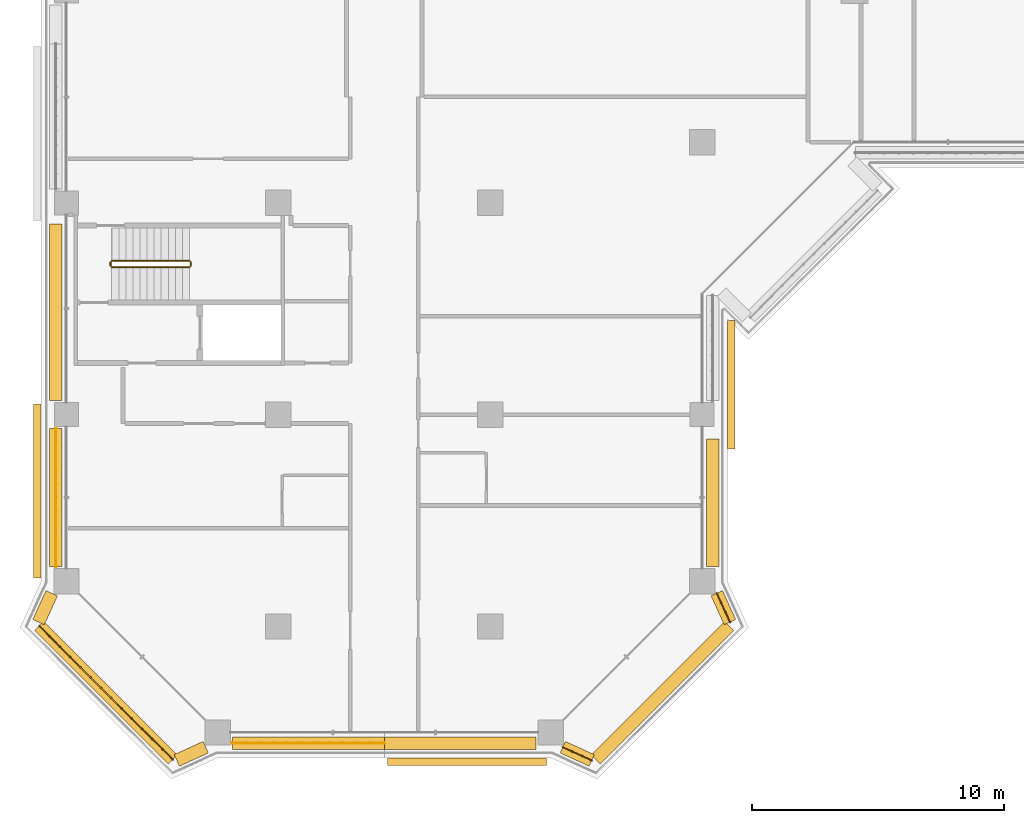
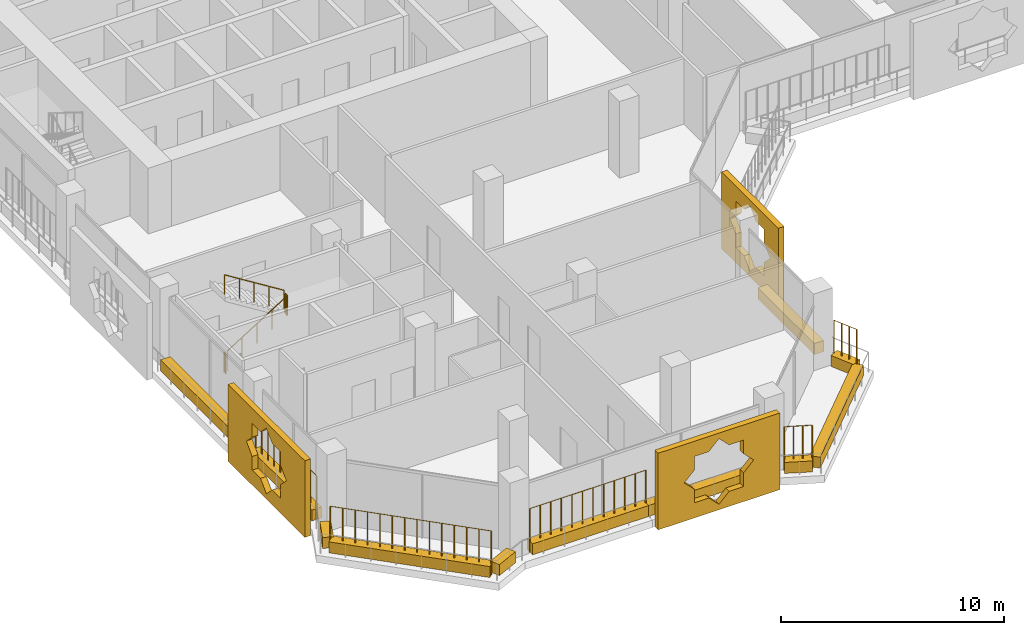
# One storey, part 16 of 22: 14 coverings, 9 railings.
"""IFC4 building model written with IfcOpenShell, lengths in metres."""

from ifc_helpers import new_model, si_unit, direction, frame, origin, origin_2d, place, context, subcontext, project, spatial, polyline, rectangle, circle, outline, extrude, material, material_profile, profile_set, type_object, element, save


model = new_model("IFC4")

# Units and contexts
model_context = context("Model", 3, precision=1e-05, world=origin(), true_north=direction((0.0, 1.0)))
body_context = subcontext(model_context, "Body", "Model", "MODEL_VIEW")
ifc_project = project(units=[si_unit("LENGTHUNIT", "METRE"), si_unit("AREAUNIT", "SQUARE_METRE"), si_unit("VOLUMEUNIT", "CUBIC_METRE"), si_unit("PLANEANGLEUNIT", "RADIAN"), si_unit("MASSUNIT", "GRAM", prefix="KILO")], contexts=[model_context])

# Site, building, storey
site_placement = place(None, origin())
site = spatial("IfcSite", under=ifc_project, at=site_placement, CompositionType="ELEMENT")
building_placement = place(site_placement, origin())
building = spatial("IfcBuilding", under=site, at=building_placement, Name="Kawkab Arch Medical Tower", CompositionType="ELEMENT")
storey_placement = place(building_placement, frame((0.0, 0.0, 196.199951171875)))
storey = spatial("IfcBuildingStorey", under=building, at=storey_placement, Name="L45", CompositionType="ELEMENT", Elevation=196.199951171875)

# Coverings
ifc_material_1 = material(Name="Bronze anodised aluminium mashrabiya panel, eight-point star pattern", Category="aluminium")
ifc_material_profile_1 = material_profile(ifc_material_1, outline(polyline([(-2.550048828125, -2.10009765625), (2.550048828125, -2.10009765625), (2.550048828125, 2.10009765625), (-2.550048828125, 2.10009765625), (-2.550048828125, -2.10009765625)]), holes=[polyline([(1.800048828125, 0.0), (1.272705078125, 0.527099609375), (1.272705078125, 1.272705078125), (0.527099609375, 1.272705078125), (0.0, 1.800048828125), (-0.527099609375, 1.272705078125), (-1.272705078125, 1.272705078125), (-1.272705078125, 0.527099609375), (-1.800048828125, 0.0), (-1.272705078125, -0.527099609375), (-1.272705078125, -1.272705078125), (-0.527099609375, -1.272705078125), (0.0, -1.800048828125), (0.527099609375, -1.272705078125), (1.272705078125, -1.272705078125), (1.272705078125, -0.527099609375), (1.800048828125, 0.0)])]), Name="Mashrabiya panel 5100x4200")
ifc_profile_set_1 = profile_set([ifc_material_profile_1], Name="Bronze anodised aluminium mashrabiya panel, eight-point star pattern")
covering_type_1 = type_object("IfcCoveringType", Name="Mashrabiya panel 5100 x 4200", PredefinedType="USERDEFINED", material=ifc_profile_set_1)
covering_1_placement = place(storey_placement, frame((26.199951171875, -40.807373046875, 1.699951171875), z_axis=(1.0, 0.0, 0.0), x_axis=(0.0, 1.0, 0.0)))
element("IfcCovering", 1, at=covering_1_placement, inside=storey, type_object=covering_type_1, Name="Mashrabiya panel L45.LOG-01-01.12", ObjectType="SCREEN", PredefinedType="USERDEFINED", context=body_context, shape_type="SweptSolid", body=[
    extrude(outline(polyline([(-2.550048828125, -2.10009765625), (2.550048828125, -2.10009765625), (2.550048828125, 2.10009765625), (-2.550048828125, 2.10009765625), (-2.550048828125, -2.10009765625)]), holes=[polyline([(1.800048828125, 0.0), (1.272705078125, 0.527099609375), (1.272705078125, 1.272705078125), (0.527099609375, 1.272705078125), (0.0, 1.800048828125), (-0.527099609375, 1.272705078125), (-1.272705078125, 1.272705078125), (-1.272705078125, 0.527099609375), (-1.800048828125, 0.0), (-1.272705078125, -0.527099609375), (-1.272705078125, -1.272705078125), (-0.527099609375, -1.272705078125), (0.0, -1.800048828125), (0.527099609375, -1.272705078125), (1.272705078125, -1.272705078125), (1.272705078125, -0.527099609375), (1.800048828125, 0.0)])]), origin(), (0.0, 0.0, 1.0), 0.300048828125),
])
ifc_material_2 = material(Name="Bronze anodised aluminium mashrabiya panel, eight-point star pattern", Category="aluminium")
ifc_material_profile_2 = material_profile(ifc_material_2, outline(polyline([(-3.14990234375, -2.10009765625), (3.14990234375, -2.10009765625), (3.14990234375, 2.10009765625), (-3.14990234375, 2.10009765625), (-3.14990234375, -2.10009765625)]), holes=[polyline([(1.800048828125, 0.0), (1.272705078125, 0.527099609375), (1.272705078125, 1.272705078125), (0.527099609375, 1.272705078125), (0.0, 1.800048828125), (-0.527099609375, 1.272705078125), (-1.272705078125, 1.272705078125), (-1.272705078125, 0.527099609375), (-1.800048828125, 0.0), (-1.272705078125, -0.527099609375), (-1.272705078125, -1.272705078125), (-0.527099609375, -1.272705078125), (0.0, -1.800048828125), (0.527099609375, -1.272705078125), (1.272705078125, -1.272705078125), (1.272705078125, -0.527099609375), (1.800048828125, 0.0)])]), Name="Mashrabiya panel 6300x4200")
ifc_profile_set_2 = profile_set([ifc_material_profile_2], Name="Bronze anodised aluminium mashrabiya panel, eight-point star pattern")
covering_type_2 = type_object("IfcCoveringType", Name="Mashrabiya panel 6300 x 4200", PredefinedType="USERDEFINED", material=ifc_profile_set_2)
covering_2_placement = place(storey_placement, frame((15.881103515625, -55.60009765625, 1.699951171875), z_axis=(0.0, -1.0, 0.0), x_axis=(1.0, 0.0, 0.0)))
element("IfcCovering", 2, at=covering_2_placement, inside=storey, type_object=covering_type_2, Name="Mashrabiya panel L45.LOG-01-01.1", ObjectType="SCREEN", PredefinedType="USERDEFINED", context=body_context, shape_type="SweptSolid", body=[
    extrude(outline(polyline([(-3.14990234375, -2.10009765625), (3.14990234375, -2.10009765625), (3.14990234375, 2.10009765625), (-3.14990234375, 2.10009765625), (-3.14990234375, -2.10009765625)]), holes=[polyline([(1.800048828125, 0.0), (1.272705078125, 0.527099609375), (1.272705078125, 1.272705078125), (0.527099609375, 1.272705078125), (0.0, 1.800048828125), (-0.527099609375, 1.272705078125), (-1.272705078125, 1.272705078125), (-1.272705078125, 0.527099609375), (-1.800048828125, 0.0), (-1.272705078125, -0.527099609375), (-1.272705078125, -1.272705078125), (-0.527099609375, -1.272705078125), (0.0, -1.800048828125), (0.527099609375, -1.272705078125), (1.272705078125, -1.272705078125), (1.272705078125, -0.527099609375), (1.800048828125, 0.0)])]), origin(), (0.0, 0.0, 1.0), 0.2998046875),
])
ifc_material_3 = material(Name="Bronze anodised aluminium mashrabiya panel, eight-point star pattern", Category="aluminium")
ifc_material_profile_3 = material_profile(ifc_material_3, outline(polyline([(-3.449951171875, -2.10009765625), (3.449951171875, -2.10009765625), (3.449951171875, 2.10009765625), (-3.449951171875, 2.10009765625), (-3.449951171875, -2.10009765625)]), holes=[polyline([(1.800048828125, 0.0), (1.272705078125, 0.527099609375), (1.272705078125, 1.272705078125), (0.527099609375, 1.272705078125), (0.0, 1.800048828125), (-0.527099609375, 1.272705078125), (-1.272705078125, 1.272705078125), (-1.272705078125, 0.527099609375), (-1.800048828125, 0.0), (-1.272705078125, -0.527099609375), (-1.272705078125, -1.272705078125), (-0.527099609375, -1.272705078125), (0.0, -1.800048828125), (0.527099609375, -1.272705078125), (1.272705078125, -1.272705078125), (1.272705078125, -0.527099609375), (1.800048828125, 0.0)])]), Name="Mashrabiya panel 6900x4200")
ifc_profile_set_3 = profile_set([ifc_material_profile_3], Name="Bronze anodised aluminium mashrabiya panel, eight-point star pattern")
covering_type_3 = type_object("IfcCoveringType", Name="Mashrabiya panel 6900 x 4200", PredefinedType="USERDEFINED", material=ifc_profile_set_3)
covering_3_placement = place(storey_placement, frame((-1.0, -45.03173828125, 1.699951171875), z_axis=(-1.0, 0.0, 0.0), x_axis=(0.0, -1.0, 0.0)))
element("IfcCovering", 3, at=covering_3_placement, inside=storey, type_object=covering_type_3, Name="Mashrabiya panel L45.LOG-01-01.2", ObjectType="SCREEN", PredefinedType="USERDEFINED", context=body_context, shape_type="SweptSolid", body=[
    extrude(outline(polyline([(-3.449951171875, -2.10009765625), (3.449951171875, -2.10009765625), (3.449951171875, 2.10009765625), (-3.449951171875, 2.10009765625), (-3.449951171875, -2.10009765625)]), holes=[polyline([(1.800048828125, 0.0), (1.272705078125, 0.527099609375), (1.272705078125, 1.272705078125), (0.527099609375, 1.272705078125), (0.0, 1.800048828125), (-0.527099609375, 1.272705078125), (-1.272705078125, 1.272705078125), (-1.272705078125, 0.527099609375), (-1.800048828125, 0.0), (-1.272705078125, -0.527099609375), (-1.272705078125, -1.272705078125), (-0.527099609375, -1.272705078125), (0.0, -1.800048828125), (0.527099609375, -1.272705078125), (1.272705078125, -1.272705078125), (1.272705078125, -0.527099609375), (1.800048828125, 0.0)])]), origin(), (0.0, 0.0, 1.0), 0.300048828125),
])
ifc_material_4 = material(Name="Planting soil in a precast trough", Category="concrete")
ifc_material_profile_4 = material_profile(ifc_material_4, rectangle(XDim=0.5, YDim=0.60009765625, at=origin_2d()), Name="Trough 500x600")
ifc_profile_set_4 = profile_set([ifc_material_profile_4], Name="Planting soil in a precast trough")
covering_type_4 = type_object("IfcCoveringType", Name="Planter trough 500 x 600", PredefinedType="USERDEFINED", material=ifc_profile_set_4)
covering_4_placement = place(storey_placement, frame((20.821044921875, -55.701904296875, 0.300048828125), z_axis=(-0.909780461959, 0.415089762627, 0.0), x_axis=(-0.415089762627, -0.909780461959, 0.0)))
element("IfcCovering", 4, at=covering_4_placement, inside=storey, type_object=covering_type_4, Name="Planter L45.LOG-01-01.1", ObjectType="PLANTER", PredefinedType="USERDEFINED", context=body_context, shape_type="SweptSolid", body=[
    extrude(rectangle(XDim=0.5, YDim=0.60009765625, at=origin_2d()), origin(), (0.0, 0.0, 1.0), 1.257568359375),
])
for number, where, z_axis, x_axis, name in (
    (5, (18.6201171875, -55.02001953125, 0.300048828125), (-1.0, 0.0, 0.0), (0.0, -1.0, 0.0), "Planter L45.LOG-01-01.2"),
    (6, (12.60009765625, -55.02001953125, 0.300048828125), (-1.0, 0.0, 0.0), (0.0, -1.0, 0.0), "Planter L45.LOG-01-01.3"),
):
    element("IfcCovering", number, at=place(storey_placement, frame(where, z_axis=z_axis, x_axis=x_axis)), inside=storey, type_object=covering_type_4, Name=name, ObjectType="PLANTER", PredefinedType="USERDEFINED", context=body_context, shape_type="SweptSolid", body=[
        extrude(rectangle(XDim=0.5, YDim=0.60009765625, at=origin_2d()), origin(), (0.0, 0.0, 1.0), 6.02001953125),
    ])
covering_5_placement = place(storey_placement, frame((5.52294921875, -55.179931640625, 0.300048828125), z_axis=(-0.909780461959, -0.415089762627, 0.0), x_axis=(0.415089762627, -0.909780461959, 0.0)))
element("IfcCovering", 7, at=covering_5_placement, inside=storey, type_object=covering_type_4, Name="Planter L45.LOG-01-01.4", ObjectType="PLANTER", PredefinedType="USERDEFINED", context=body_context, shape_type="SweptSolid", body=[
    extrude(rectangle(XDim=0.5, YDim=0.60009765625, at=origin_2d()), origin(), (0.0, 0.0, 1.0), 1.257568359375),
])
covering_6_placement = place(storey_placement, frame((4.217041015625, -55.673095703125, 0.300048828125), z_axis=(-0.707106781187, 0.707106781187, 0.0), x_axis=(-0.707106781187, -0.707106781187, 0.0)))
element("IfcCovering", 8, at=covering_6_placement, inside=storey, type_object=covering_type_4, Name="Planter L45.LOG-01-01.5", ObjectType="PLANTER", PredefinedType="USERDEFINED", context=body_context, shape_type="SweptSolid", body=[
    extrude(rectangle(XDim=0.5, YDim=0.60009765625, at=origin_2d()), origin(), (0.0, 0.0, 1.0), 7.481201171875),
])
covering_7_placement = place(storey_placement, frame((-1.10205078125, -50.220947265625, 0.300048828125), z_axis=(0.415089762627, 0.909780461959, 0.0), x_axis=(-0.909780461959, 0.415089762627, 0.0)))
element("IfcCovering", 9, at=covering_7_placement, inside=storey, type_object=covering_type_4, Name="Planter L45.LOG-01-01.6", ObjectType="PLANTER", PredefinedType="USERDEFINED", context=body_context, shape_type="SweptSolid", body=[
    extrude(rectangle(XDim=0.5, YDim=0.60009765625, at=origin_2d()), origin(), (0.0, 0.0, 1.0), 1.257568359375),
])
covering_8_placement = place(storey_placement, frame((-0.419921875, -48.02001953125, 0.300048828125), z_axis=(0.0, 1.0, 0.0), x_axis=(-1.0, 0.0, 0.0)))
element("IfcCovering", 10, at=covering_8_placement, inside=storey, type_object=covering_type_4, Name="Planter L45.LOG-01-01.7", ObjectType="PLANTER", PredefinedType="USERDEFINED", context=body_context, shape_type="SweptSolid", body=[
    extrude(rectangle(XDim=0.5, YDim=0.60009765625, at=origin_2d()), origin(), (0.0, 0.0, 1.0), 5.465087890625),
])
covering_9_placement = place(storey_placement, frame((-0.419921875, -41.445068359375, 0.300048828125), z_axis=(0.0, 1.0, 0.0), x_axis=(-1.0, 0.0, 0.0)))
element("IfcCovering", 11, at=covering_9_placement, inside=storey, type_object=covering_type_4, Name="Planter L45.LOG-01-01.8", ObjectType="PLANTER", PredefinedType="USERDEFINED", context=body_context, shape_type="SweptSolid", body=[
    extrude(rectangle(XDim=0.5, YDim=0.60009765625, at=origin_2d()), origin(), (0.0, 0.0, 1.0), 7.003173828125),
])
covering_10_placement = place(storey_placement, frame((25.6201171875, -42.955078125, 0.300048828125), z_axis=(0.0, -1.0, 0.0), x_axis=(1.0, 0.0, 0.0)))
element("IfcCovering", 12, at=covering_10_placement, inside=storey, type_object=covering_type_4, Name="Planter L45.LOG-01-01.42", ObjectType="PLANTER", PredefinedType="USERDEFINED", context=body_context, shape_type="SweptSolid", body=[
    extrude(rectangle(XDim=0.5, YDim=0.60009765625, at=origin_2d()), origin(), (0.0, 0.0, 1.0), 5.06494140625),
])
covering_11_placement = place(storey_placement, frame((25.780029296875, -49.076904296875, 0.300048828125), z_axis=(0.415089762627, -0.909780461959, 0.0), x_axis=(0.909780461959, 0.415089762627, 0.0)))
element("IfcCovering", 13, at=covering_11_placement, inside=storey, type_object=covering_type_4, Name="Planter L45.LOG-01-01.43", ObjectType="PLANTER", PredefinedType="USERDEFINED", context=body_context, shape_type="SweptSolid", body=[
    extrude(rectangle(XDim=0.5, YDim=0.60009765625, at=origin_2d()), origin(), (0.0, 0.0, 1.0), 1.257568359375),
])
covering_12_placement = place(storey_placement, frame((26.27294921875, -50.383056640625, 0.300048828125), z_axis=(-0.707106781187, -0.707106781187, 0.0), x_axis=(0.707106781187, -0.707106781187, 0.0)))
element("IfcCovering", 14, at=covering_12_placement, inside=storey, type_object=covering_type_4, Name="Planter L45.LOG-01-01.44", ObjectType="PLANTER", PredefinedType="USERDEFINED", context=body_context, shape_type="SweptSolid", body=[
    extrude(rectangle(XDim=0.5, YDim=0.60009765625, at=origin_2d()), origin(), (0.0, 0.0, 1.0), 7.481201171875),
])

# Railings
ifc_material_5 = material(Name="Bronze anodised aluminium trellis for climbing plants", Category="aluminium")
railing_type_1 = type_object("IfcRailingType", Name="Planting trellis 2400", PredefinedType="USERDEFINED", material=ifc_material_5)
railing_1_placement = place(storey_placement, frame((20.821044921875, -55.701904296875, 0.0)))
element("IfcRailing", 15, at=railing_1_placement, inside=storey, type_object=railing_type_1, Name="Planting trellis L45.LOG-01-01.1", ObjectType="TRELLIS", PredefinedType="USERDEFINED", context=body_context, shape_type="SweptSolid", body=[
    extrude(circle(Radius=0.01513671875, at=origin_2d()), frame((0.0, 0.0, 2.384765625), z_axis=(-0.909780461959, 0.415089762627, 0.0), x_axis=(-0.415089762627, -0.909780461959, 0.0)), (0.0, 0.0, 1.0), 1.257568359375),
    extrude(circle(Radius=0.030029296875, at=origin_2d()), origin(), (0.0, 0.0, 1.0), 2.369873046875),
    extrude(circle(Radius=0.030029296875, at=origin_2d()), frame((-0.38134765625, 0.174072265625, 0.0)), (0.0, 0.0, 1.0), 2.369873046875),
    extrude(circle(Radius=0.030029296875, at=origin_2d()), frame((-0.7626953125, 0.347900390625, 0.0)), (0.0, 0.0, 1.0), 2.369873046875),
    extrude(circle(Radius=0.030029296875, at=origin_2d()), frame((-1.14404296875, 0.52197265625, 0.0)), (0.0, 0.0, 1.0), 2.369873046875),
])
railing_2_placement = place(storey_placement, frame((12.60009765625, -55.02001953125, 0.0)))
element("IfcRailing", 16, at=railing_2_placement, inside=storey, type_object=railing_type_1, Name="Planting trellis L45.LOG-01-01.3", ObjectType="TRELLIS", PredefinedType="USERDEFINED", context=body_context, shape_type="SweptSolid", body=[
    extrude(circle(Radius=0.01513671875, at=origin_2d()), frame((0.0, 0.0, 2.384765625), z_axis=(-1.0, 0.0, 0.0), x_axis=(0.0, -1.0, 0.0)), (0.0, 0.0, 1.0), 6.02001953125),
    extrude(circle(Radius=0.030029296875, at=origin_2d()), origin(), (0.0, 0.0, 1.0), 2.369873046875),
    extrude(circle(Radius=0.030029296875, at=origin_2d()), frame((-0.54736328125, 0.0, 0.0)), (0.0, 0.0, 1.0), 2.369873046875),
    extrude(circle(Radius=0.030029296875, at=origin_2d()), frame((-1.094482421875, 0.0, 0.0)), (0.0, 0.0, 1.0), 2.369873046875),
    extrude(circle(Radius=0.030029296875, at=origin_2d()), frame((-1.641845703125, 0.0, 0.0)), (0.0, 0.0, 1.0), 2.369873046875),
    extrude(circle(Radius=0.030029296875, at=origin_2d()), frame((-2.189208984375, 0.0, 0.0)), (0.0, 0.0, 1.0), 2.369873046875),
    extrude(circle(Radius=0.030029296875, at=origin_2d()), frame((-2.736328125, 0.0, 0.0)), (0.0, 0.0, 1.0), 2.369873046875),
    extrude(circle(Radius=0.030029296875, at=origin_2d()), frame((-3.28369140625, 0.0, 0.0)), (0.0, 0.0, 1.0), 2.369873046875),
    extrude(circle(Radius=0.030029296875, at=origin_2d()), frame((-3.830810546875, 0.0, 0.0)), (0.0, 0.0, 1.0), 2.369873046875),
    extrude(circle(Radius=0.030029296875, at=origin_2d()), frame((-4.378173828125, 0.0, 0.0)), (0.0, 0.0, 1.0), 2.369873046875),
    extrude(circle(Radius=0.030029296875, at=origin_2d()), frame((-4.925537109375, 0.0, 0.0)), (0.0, 0.0, 1.0), 2.369873046875),
    extrude(circle(Radius=0.030029296875, at=origin_2d()), frame((-5.47265625, 0.0, 0.0)), (0.0, 0.0, 1.0), 2.369873046875),
    extrude(circle(Radius=0.030029296875, at=origin_2d()), frame((-6.02001953125, 0.0, 0.0)), (0.0, 0.0, 1.0), 2.369873046875),
])
railing_3_placement = place(storey_placement, frame((4.217041015625, -55.673095703125, 0.0)))
element("IfcRailing", 17, at=railing_3_placement, inside=storey, type_object=railing_type_1, Name="Planting trellis L45.LOG-01-01.5", ObjectType="TRELLIS", PredefinedType="USERDEFINED", context=body_context, shape_type="SweptSolid", body=[
    extrude(circle(Radius=0.01513671875, at=origin_2d()), frame((0.0, 0.0, 2.384765625), z_axis=(-0.707106781187, 0.707106781187, 0.0), x_axis=(-0.707106781187, -0.707106781187, 0.0)), (0.0, 0.0, 1.0), 7.481201171875),
    extrude(circle(Radius=0.030029296875, at=origin_2d()), origin(), (0.0, 0.0, 1.0), 2.369873046875),
    extrude(circle(Radius=0.030029296875, at=origin_2d()), frame((-0.406982421875, 0.406982421875, 0.0)), (0.0, 0.0, 1.0), 2.369873046875),
    extrude(circle(Radius=0.030029296875, at=origin_2d()), frame((-0.81396484375, 0.81396484375, 0.0)), (0.0, 0.0, 1.0), 2.369873046875),
    extrude(circle(Radius=0.030029296875, at=origin_2d()), frame((-1.220703125, 1.220703125, 0.0)), (0.0, 0.0, 1.0), 2.369873046875),
    extrude(circle(Radius=0.030029296875, at=origin_2d()), frame((-1.627685546875, 1.627685546875, 0.0)), (0.0, 0.0, 1.0), 2.369873046875),
    extrude(circle(Radius=0.030029296875, at=origin_2d()), frame((-2.03466796875, 2.03466796875, 0.0)), (0.0, 0.0, 1.0), 2.369873046875),
    extrude(circle(Radius=0.030029296875, at=origin_2d()), frame((-2.441650390625, 2.441650390625, 0.0)), (0.0, 0.0, 1.0), 2.369873046875),
    extrude(circle(Radius=0.030029296875, at=origin_2d()), frame((-2.848388671875, 2.848388671875, 0.0)), (0.0, 0.0, 1.0), 2.369873046875),
    extrude(circle(Radius=0.030029296875, at=origin_2d()), frame((-3.25537109375, 3.25537109375, 0.0)), (0.0, 0.0, 1.0), 2.369873046875),
    extrude(circle(Radius=0.030029296875, at=origin_2d()), frame((-3.662353515625, 3.662353515625, 0.0)), (0.0, 0.0, 1.0), 2.369873046875),
    extrude(circle(Radius=0.030029296875, at=origin_2d()), frame((-4.0693359375, 4.0693359375, 0.0)), (0.0, 0.0, 1.0), 2.369873046875),
    extrude(circle(Radius=0.030029296875, at=origin_2d()), frame((-4.47607421875, 4.47607421875, 0.0)), (0.0, 0.0, 1.0), 2.369873046875),
    extrude(circle(Radius=0.030029296875, at=origin_2d()), frame((-4.883056640625, 4.883056640625, 0.0)), (0.0, 0.0, 1.0), 2.369873046875),
    extrude(circle(Radius=0.030029296875, at=origin_2d()), frame((-5.2900390625, 5.2900390625, 0.0)), (0.0, 0.0, 1.0), 2.369873046875),
])
railing_4_placement = place(storey_placement, frame((-0.419921875, -48.02001953125, 0.0)))
element("IfcRailing", 18, at=railing_4_placement, inside=storey, type_object=railing_type_1, Name="Planting trellis L45.LOG-01-01.7", ObjectType="TRELLIS", PredefinedType="USERDEFINED", context=body_context, shape_type="SweptSolid", body=[
    extrude(circle(Radius=0.01513671875, at=origin_2d()), frame((0.0, 0.0, 2.384765625), z_axis=(0.0, 1.0, 0.0), x_axis=(-1.0, 0.0, 0.0)), (0.0, 0.0, 1.0), 5.465087890625),
    extrude(circle(Radius=0.030029296875, at=origin_2d()), origin(), (0.0, 0.0, 1.0), 2.369873046875),
    extrude(circle(Radius=0.030029296875, at=origin_2d()), frame((0.0, 0.54638671875, 0.0)), (0.0, 0.0, 1.0), 2.369873046875),
    extrude(circle(Radius=0.030029296875, at=origin_2d()), frame((0.0, 1.093017578125, 0.0)), (0.0, 0.0, 1.0), 2.369873046875),
    extrude(circle(Radius=0.030029296875, at=origin_2d()), frame((0.0, 1.6396484375, 0.0)), (0.0, 0.0, 1.0), 2.369873046875),
    extrude(circle(Radius=0.030029296875, at=origin_2d()), frame((0.0, 2.18603515625, 0.0)), (0.0, 0.0, 1.0), 2.369873046875),
    extrude(circle(Radius=0.030029296875, at=origin_2d()), frame((0.0, 2.732421875, 0.0)), (0.0, 0.0, 1.0), 2.369873046875),
    extrude(circle(Radius=0.030029296875, at=origin_2d()), frame((0.0, 3.279052734375, 0.0)), (0.0, 0.0, 1.0), 2.369873046875),
    extrude(circle(Radius=0.030029296875, at=origin_2d()), frame((0.0, 3.825439453125, 0.0)), (0.0, 0.0, 1.0), 2.369873046875),
    extrude(circle(Radius=0.030029296875, at=origin_2d()), frame((0.0, 4.3720703125, 0.0)), (0.0, 0.0, 1.0), 2.369873046875),
    extrude(circle(Radius=0.030029296875, at=origin_2d()), frame((0.0, 4.91845703125, 0.0)), (0.0, 0.0, 1.0), 2.369873046875),
    extrude(circle(Radius=0.030029296875, at=origin_2d()), frame((0.0, 5.465087890625, 0.0)), (0.0, 0.0, 1.0), 2.369873046875),
])
railing_5_placement = place(storey_placement, frame((25.780029296875, -49.076904296875, 0.0)))
element("IfcRailing", 19, at=railing_5_placement, inside=storey, type_object=railing_type_1, Name="Planting trellis L45.LOG-01-01.43", ObjectType="TRELLIS", PredefinedType="USERDEFINED", context=body_context, shape_type="SweptSolid", body=[
    extrude(circle(Radius=0.01513671875, at=origin_2d()), frame((0.0, 0.0, 2.384765625), z_axis=(0.415089762627, -0.909780461959, 0.0), x_axis=(0.909780461959, 0.415089762627, 0.0)), (0.0, 0.0, 1.0), 1.257568359375),
    extrude(circle(Radius=0.030029296875, at=origin_2d()), origin(), (0.0, 0.0, 1.0), 2.369873046875),
    extrude(circle(Radius=0.030029296875, at=origin_2d()), frame((0.174072265625, -0.38134765625, 0.0)), (0.0, 0.0, 1.0), 2.369873046875),
    extrude(circle(Radius=0.030029296875, at=origin_2d()), frame((0.347900390625, -0.7626953125, 0.0)), (0.0, 0.0, 1.0), 2.369873046875),
    extrude(circle(Radius=0.030029296875, at=origin_2d()), frame((0.52197265625, -1.14404296875, 0.0)), (0.0, 0.0, 1.0), 2.369873046875),
])
ifc_material_6 = material(Name="Stainless steel", Category="steel")
railing_type_2 = type_object("IfcRailingType", Name="Stair guard 1100", PredefinedType="GUARDRAIL", material=ifc_material_6)
railing_6_placement = place(storey_placement, frame((1.800048828125, -36.14990234375, 0.175048828125)))
element("IfcRailing", 20, at=railing_6_placement, inside=storey, type_object=railing_type_2, Name="L45 ST6 stair guard 1", PredefinedType="GUARDRAIL", context=body_context, shape_type="SweptSolid", body=[
    extrude(circle(Radius=0.02392578125, at=origin_2d()), frame((0.0, 0.0, 1.076171875), z_axis=(0.847979421464, 0.0, 0.530029150871), x_axis=(0.0, 1.0, 0.0)), (0.0, 0.0, 1.0), 3.632080078125),
    extrude(circle(Radius=0.02099609375, at=origin_2d()), origin(), (0.0, 0.0, 1.0), 1.052001953125),
    extrude(circle(Radius=0.02099609375, at=origin_2d()), frame((0.77001953125, 0.0, 0.481201171875)), (0.0, 0.0, 1.0), 1.052001953125),
    extrude(circle(Radius=0.02099609375, at=origin_2d()), frame((1.5400390625, 0.0, 0.96240234375)), (0.0, 0.0, 1.0), 1.052001953125),
    extrude(circle(Radius=0.02099609375, at=origin_2d()), frame((2.309814453125, 0.0, 1.44384765625)), (0.0, 0.0, 1.0), 1.052001953125),
    extrude(circle(Radius=0.02099609375, at=origin_2d()), frame((3.079833984375, 0.0, 1.925048828125)), (0.0, 0.0, 1.0), 1.052001953125),
])
railing_7_placement = place(storey_placement, frame((4.929931640625, -36.10009765625, 2.10009765625)))
element("IfcRailing", 21, at=railing_7_placement, inside=storey, type_object=railing_type_2, Name="L45 ST6 stair guard 2", PredefinedType="GUARDRAIL", context=body_context, shape_type="SweptSolid", body=[
    extrude(circle(Radius=0.02392578125, at=origin_2d()), frame((0.0, 0.0, 1.076171875), z_axis=(0.0, 1.0, 0.0), x_axis=(-1.0, 0.0, 0.0)), (0.0, 0.0, 1.0), 0.150146484375),
    extrude(circle(Radius=0.02099609375, at=origin_2d()), origin(), (0.0, 0.0, 1.0), 1.052001953125),
    extrude(circle(Radius=0.02099609375, at=origin_2d()), frame((0.0, 0.150146484375, 0.0)), (0.0, 0.0, 1.0), 1.052001953125),
])
railing_8_placement = place(storey_placement, frame((4.8798828125, -35.89990234375, 2.275146484375)))
element("IfcRailing", 22, at=railing_8_placement, inside=storey, type_object=railing_type_2, Name="L45 ST6 stair guard 3", PredefinedType="GUARDRAIL", context=body_context, shape_type="SweptSolid", body=[
    extrude(circle(Radius=0.02392578125, at=origin_2d()), frame((0.0, 0.0, 1.076171875), z_axis=(-0.848009633417, 0.0, 0.529980812513), x_axis=(0.0, -1.0, 0.0)), (0.0, 0.0, 1.0), 3.6318359375),
    extrude(circle(Radius=0.02099609375, at=origin_2d()), origin(), (0.0, 0.0, 1.0), 1.052001953125),
    extrude(circle(Radius=0.02099609375, at=origin_2d()), frame((-0.77001953125, 0.0, 0.481201171875)), (0.0, 0.0, 1.0), 1.052001953125),
    extrude(circle(Radius=0.02099609375, at=origin_2d()), frame((-1.5400390625, 0.0, 0.96240234375)), (0.0, 0.0, 1.0), 1.052001953125),
    extrude(circle(Radius=0.02099609375, at=origin_2d()), frame((-2.309814453125, 0.0, 1.443603515625)), (0.0, 0.0, 1.0), 1.052001953125),
    extrude(circle(Radius=0.02099609375, at=origin_2d()), frame((-3.079833984375, 0.0, 1.9248046875)), (0.0, 0.0, 1.0), 1.052001953125),
])
railing_9_placement = place(storey_placement, frame((1.75, -36.10009765625, 0.0)))
element("IfcRailing", 23, at=railing_9_placement, inside=storey, type_object=railing_type_2, Name="L45 ST6 stair guard 4", PredefinedType="GUARDRAIL", context=body_context, shape_type="SweptSolid", body=[
    extrude(circle(Radius=0.02392578125, at=origin_2d()), frame((0.0, 0.0, 1.076171875), z_axis=(0.0, 1.0, 0.0), x_axis=(-1.0, 0.0, 0.0)), (0.0, 0.0, 1.0), 0.150146484375),
    extrude(circle(Radius=0.02099609375, at=origin_2d()), origin(), (0.0, 0.0, 1.0), 1.052001953125),
    extrude(circle(Radius=0.02099609375, at=origin_2d()), frame((0.0, 0.150146484375, 0.0)), (0.0, 0.0, 1.0), 1.052001953125),
])

save(model, "model.ifc")
